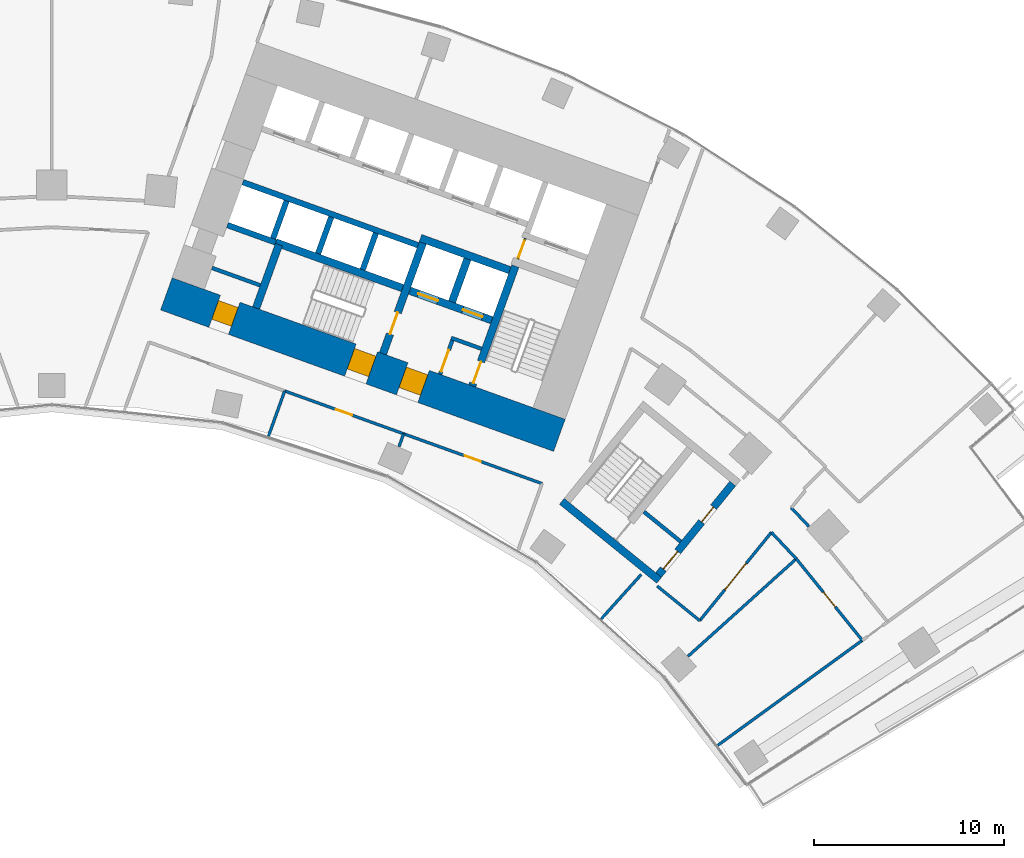
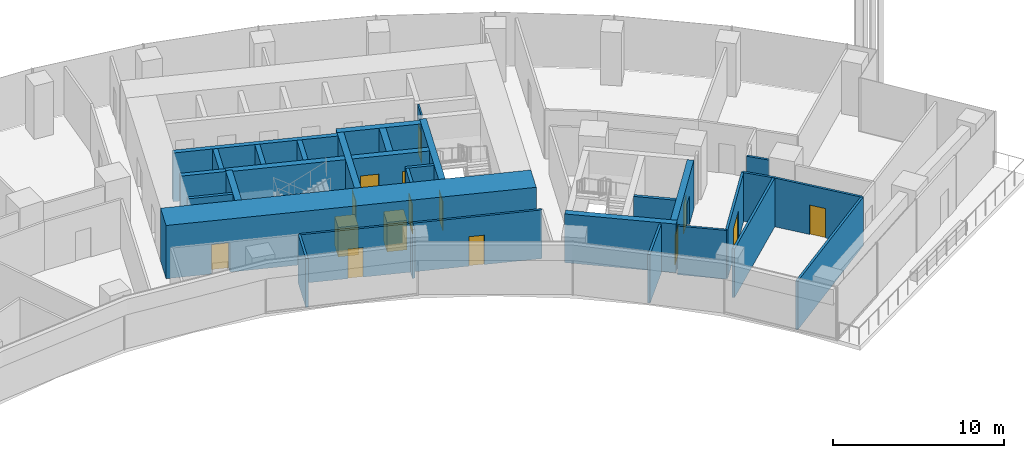
# One storey, part 17 of 21: 31 walls, 15 doors, 15 openings.
"""IFC4 building model written with IfcOpenShell, lengths in metres."""

from ifc_helpers import new_model, si_unit, direction, frame, frame_2d, origin, place, context, subcontext, project, spatial, rectangle, extrude, material, layer, layer_set, type_object, element, fill, save


model = new_model("IFC4")

# Units and contexts
model_context = context("Model", 3, precision=1e-05, world=origin(), true_north=direction((0.0, 1.0)))
body_context = subcontext(model_context, "Body", "Model", "MODEL_VIEW")
ifc_project = project(units=[si_unit("LENGTHUNIT", "METRE"), si_unit("AREAUNIT", "SQUARE_METRE"), si_unit("VOLUMEUNIT", "CUBIC_METRE"), si_unit("PLANEANGLEUNIT", "RADIAN"), si_unit("MASSUNIT", "GRAM", prefix="KILO")], contexts=[model_context])

# Site, building, storey
site_placement = place(None, origin())
site = spatial("IfcSite", under=ifc_project, at=site_placement, CompositionType="ELEMENT")
building_placement = place(site_placement, origin())
building = spatial("IfcBuilding", under=site, at=building_placement, Name="Stone Belt Terrace Tower", CompositionType="ELEMENT")
storey_placement = place(building_placement, frame((0.0, 0.0, 45.199951171875)))
storey = spatial("IfcBuildingStorey", under=building, at=storey_placement, Name="L10", CompositionType="ELEMENT", Elevation=45.199951171875)

# Wall, opening, door
ifc_material_1 = material(Name="Plasterboard partition")
ifc_layer_1 = layer(ifc_material_1, 0.10009765625)
ifc_layer_set_1 = layer_set([ifc_layer_1], Name="Core partition 100")
wall_type_1 = type_object("IfcWallType", Name="Core partition 100", PredefinedType="PARTITIONING", material=ifc_layer_set_1)
wall_1_placement = place(storey_placement, frame((24.555908203125, 51.10400390625, 0.0), z_axis=(0.0, 0.0, 1.0), x_axis=(0.338621735342, 0.94092258999, 0.0)))
wall_1 = element("IfcWall", 1, at=wall_1_placement, inside=storey, type_object=wall_type_1, Name="Core B wall", PredefinedType="PARTITIONING", context=body_context, shape_type="SweptSolid", body=[
    extrude(rectangle(XDim=1.14990234375, YDim=0.10009765625, at=frame_2d((0.574951171875, 0.0))), origin(), (0.0, 0.0, 1.0), 3.47998046875),
])
opening_1_placement = place(wall_1_placement, frame((0.050048828125, 0.0, 0.0)))
opening_1 = element("IfcOpeningElement", 2, at=opening_1_placement, cuts=wall_1, Name="Opening L10-C10", PredefinedType="OPENING", context=body_context, shape_type="SweptSolid", body=[
    extrude(rectangle(XDim=1.0, YDim=2.10009765625, at=frame_2d((0.5, 1.050048828125))), frame((0.0, 0.06005859375, 0.0), z_axis=(0.0, -1.0, 0.0), x_axis=(1.0, 0.0, 0.0)), (0.0, 0.0, 1.0), 0.1201171875),
])
ifc_material_2 = material(Name="Timber door leaf", Category="wood")
door_type_1 = type_object("IfcDoorType", Name="Core room door 1000", OperationType="SINGLE_SWING_LEFT", PredefinedType="DOOR", material=ifc_material_2)
door_1_placement = place(opening_1_placement, origin())
door_1 = element("IfcDoor", 3, at=door_1_placement, inside=storey, type_object=door_type_1, Name="Service lift lobby door core B", OperationType="SINGLE_SWING_LEFT", OverallHeight=2.10009765625, OverallWidth=1.0, PredefinedType="DOOR", context=body_context, shape_type="SweptSolid", body=[
    extrude(rectangle(XDim=1.0, YDim=2.10009765625, at=frame_2d((0.5, 1.050048828125))), frame((0.0, 0.02490234375, 0.0), z_axis=(0.0, -1.0, 0.0), x_axis=(1.0, 0.0, 0.0)), (0.0, 0.0, 1.0), 0.050048828125),
])
fill(opening_1, door_1)

# Wall, openings, doors
ifc_material_3 = material(Name="Concrete B80", Category="concrete")
ifc_layer_2 = layer(ifc_material_3, 1.800048828125)
ifc_layer_set_2 = layer_set([ifc_layer_2], Name="Core wall 1800 B80")
wall_type_2 = type_object("IfcWallType", Name="Core wall 1800 B80", PredefinedType="SHEAR", material=ifc_layer_set_2)
wall_2_placement = place(storey_placement, frame((6.039306640625, 49.265380859375, 0.0), z_axis=(0.0, 0.0, 1.0), x_axis=(0.940921642213, -0.338624368902, 0.0)))
wall_2 = element("IfcWall", 4, at=wall_2_placement, inside=storey, type_object=wall_type_2, Name="Core B wall concave L10", PredefinedType="SHEAR", context=body_context, shape_type="SweptSolid", body=[
    extrude(rectangle(XDim=22.0, YDim=1.800048828125, at=frame_2d((11.0, 0.0))), origin(), (0.0, 0.0, 1.0), 3.800048828125),
])
opening_2_placement = place(wall_2_placement, frame((13.199951171875, 0.0, 0.0)))
opening_2 = element("IfcOpeningElement", 5, at=opening_2_placement, cuts=wall_2, Name="Opening L10-C14", PredefinedType="OPENING", context=body_context, shape_type="SweptSolid", body=[
    extrude(rectangle(XDim=1.199951171875, YDim=2.10009765625, at=frame_2d((0.60009765625, 1.050048828125))), frame((0.0, 0.909912109375, 0.0), z_axis=(0.0, -1.0, 0.0), x_axis=(1.0, 0.0, 0.0)), (0.0, 0.0, 1.0), 1.820068359375),
])
opening_3_placement = place(wall_2_placement, frame((10.300048828125, 0.0, 0.0)))
opening_3 = element("IfcOpeningElement", 6, at=opening_3_placement, cuts=wall_2, Name="Opening L10-C16", PredefinedType="OPENING", context=body_context, shape_type="SweptSolid", body=[
    extrude(rectangle(XDim=1.199951171875, YDim=2.10009765625, at=frame_2d((0.60009765625, 1.050048828125))), frame((0.0, 0.909912109375, 0.0), z_axis=(0.0, -1.0, 0.0), x_axis=(1.0, 0.0, 0.0)), (0.0, 0.0, 1.0), 1.820068359375),
])
opening_4_placement = place(wall_2_placement, frame((2.699951171875, 0.0, 0.0)))
opening_4 = element("IfcOpeningElement", 7, at=opening_4_placement, cuts=wall_2, Name="Opening L10-C18", PredefinedType="OPENING", context=body_context, shape_type="SweptSolid", body=[
    extrude(rectangle(XDim=1.10009765625, YDim=2.10009765625, at=frame_2d((0.550048828125, 1.050048828125))), frame((0.0, 0.909912109375, 0.0), z_axis=(0.0, -1.0, 0.0), x_axis=(1.0, 0.0, 0.0)), (0.0, 0.0, 1.0), 1.820068359375),
])
door_type_2 = type_object("IfcDoorType", Name="Core room door 1100", OperationType="SINGLE_SWING_LEFT", PredefinedType="DOOR", material=ifc_material_2)
door_2_placement = place(opening_4_placement, origin())
door_2 = element("IfcDoor", 8, at=door_2_placement, inside=storey, type_object=door_type_2, Name="Door to Pipe riser core B", OperationType="SINGLE_SWING_LEFT", OverallHeight=2.10009765625, OverallWidth=1.10009765625, PredefinedType="DOOR", context=body_context, shape_type="SweptSolid", body=[
    extrude(rectangle(XDim=1.10009765625, YDim=2.10009765625, at=frame_2d((0.550048828125, 1.050048828125))), frame((0.0, 0.60498046875, 0.0), z_axis=(0.0, -1.0, 0.0), x_axis=(1.0, 0.0, 0.0)), (0.0, 0.0, 1.0), 1.050048828125),
])
fill(opening_4, door_2)
ifc_material_4 = material(Name="Steel door leaf", Category="steel")
door_type_3 = type_object("IfcDoorType", Name="Fire-fighting lobby door 1200", OperationType="SINGLE_SWING_LEFT", PredefinedType="DOOR", material=ifc_material_4)
door_3_placement = place(opening_2_placement, origin())
door_3 = element("IfcDoor", 9, at=door_3_placement, inside=storey, type_object=door_type_3, Name="Fire-fighting lobby door core B", OperationType="SINGLE_SWING_LEFT", OverallHeight=2.10009765625, OverallWidth=1.199951171875, PredefinedType="DOOR", context=body_context, shape_type="SweptSolid", body=[
    extrude(rectangle(XDim=1.199951171875, YDim=2.10009765625, at=frame_2d((0.60009765625, 1.050048828125))), frame((0.0, 0.655029296875, 0.0), z_axis=(0.0, -1.0, 0.0), x_axis=(1.0, 0.0, 0.0)), (0.0, 0.0, 1.0), 1.14990234375),
])
fill(opening_2, door_3)
door_type_4 = type_object("IfcDoorType", Name="Stair door 1200", OperationType="SINGLE_SWING_LEFT", PredefinedType="DOOR", material=ifc_material_4)
door_4_placement = place(opening_3_placement, origin())
door_4 = element("IfcDoor", 10, at=door_4_placement, inside=storey, type_object=door_type_4, Name="Stair 2 exit door core B", OperationType="SINGLE_SWING_RIGHT", OverallHeight=2.10009765625, OverallWidth=1.199951171875, PredefinedType="DOOR", context=body_context, shape_type="SweptSolid", body=[
    extrude(rectangle(XDim=1.199951171875, YDim=2.10009765625, at=frame_2d((0.60009765625, 1.050048828125))), frame((0.0, 0.655029296875, 0.0), z_axis=(0.0, -1.0, 0.0), x_axis=(1.0, 0.0, 0.0)), (0.0, 0.0, 1.0), 1.14990234375),
])
fill(opening_3, door_4)

# Walls
ifc_layer_3 = layer(ifc_material_3, 0.39990234375)
ifc_layer_set_3 = layer_set([ifc_layer_3], Name="Fire-fighting lift shaft wall 400")
wall_type_3 = type_object("IfcWallType", Name="Fire-fighting lift shaft wall 400", PredefinedType="SHEAR", material=ifc_layer_set_3)
wall_3_placement = place(storey_placement, frame((24.130615234375, 50.512939453125, 0.0), z_axis=(0.0, 0.0, 1.0), x_axis=(-0.94091168377, 0.338652038744, 0.0)))
element("IfcWall", 11, at=wall_3_placement, inside=storey, type_object=wall_type_3, Name="Core B wall", PredefinedType="SHEAR", context=body_context, shape_type="SweptSolid", body=[
    extrude(rectangle(XDim=5.000244140625, YDim=0.39990234375, at=frame_2d((2.5, 0.0))), origin(), (0.0, 0.0, 1.0), 3.47998046875),
])
wall_4_placement = place(storey_placement, frame((21.0859375, 48.845458984375, 0.0), z_axis=(0.0, 0.0, 1.0), x_axis=(0.338629416206, 0.940919825745, 0.0)))
element("IfcWall", 12, at=wall_4_placement, inside=storey, type_object=wall_type_3, Name="Core B wall", PredefinedType="SHEAR", context=body_context, shape_type="SweptSolid", body=[
    extrude(rectangle(XDim=2.400146484375, YDim=0.39990234375, at=frame_2d((1.2001953125, 0.0))), origin(), (0.0, 0.0, 1.0), 3.47998046875),
])
ifc_layer_4 = layer(ifc_material_3, 0.300048828125)
ifc_layer_set_4 = layer_set([ifc_layer_4], Name="Lift shaft wall 300")
wall_type_4 = type_object("IfcWallType", Name="Lift shaft wall 300", PredefinedType="SHEAR", material=ifc_layer_set_4)
wall_5_placement = place(storey_placement, frame((19.29052734375, 51.829833984375, 0.0), z_axis=(0.0, 0.0, 1.0), x_axis=(-0.940925833398, 0.338612722803, 0.0)))
element("IfcWall", 13, at=wall_5_placement, inside=storey, type_object=wall_type_4, Name="Core B wall", PredefinedType="SHEAR", context=body_context, shape_type="SweptSolid", body=[
    extrude(rectangle(XDim=9.7998046875, YDim=0.300048828125, at=frame_2d((4.89990234375, 0.0))), origin(), (0.0, 0.0, 1.0), 3.47998046875),
])
for number, where, z_axis, x_axis, name in (
    (14, (16.38134765625, 50.53857421875, 0.0), (0.0, 0.0, 1.0), (0.338681515556, 0.940901073982, 0.0), "Core B wall"),
    (15, (14.029052734375, 51.38525390625, 0.0), (0.0, 0.0, 1.0), (0.338681515556, 0.940901073982, 0.0), "Core B wall"),
):
    element("IfcWall", number, at=place(storey_placement, frame(where, z_axis=z_axis, x_axis=x_axis)), inside=storey, type_object=wall_type_4, Name=name, PredefinedType="SHEAR", context=body_context, shape_type="SweptSolid", body=[
        extrude(rectangle(XDim=2.050048828125, YDim=0.300048828125, at=frame_2d((1.02490234375, 0.0))), origin(), (0.0, 0.0, 1.0), 3.47998046875),
    ])
wall_6_placement = place(storey_placement, frame((11.797119140625, 51.975830078125, 0.0), z_axis=(0.0, 0.0, 1.0), x_axis=(-0.940910465161, 0.33865542451, 0.0)))
element("IfcWall", 16, at=wall_6_placement, inside=storey, type_object=wall_type_4, Name="Core B wall", PredefinedType="SHEAR", context=body_context, shape_type="SweptSolid", body=[
    extrude(rectangle(XDim=2.69970703125, YDim=0.300048828125, at=frame_2d((1.349853515625, 0.0))), origin(), (0.0, 0.0, 1.0), 3.47998046875),
])
wall_7_placement = place(storey_placement, frame((11.659912109375, 52.184814453125, 0.0), z_axis=(0.0, 0.0, 1.0), x_axis=(0.338670064856, 0.940905195634, 0.0)))
element("IfcWall", 17, at=wall_7_placement, inside=storey, type_object=wall_type_4, Name="Core B wall", PredefinedType="SHEAR", context=body_context, shape_type="SweptSolid", body=[
    extrude(rectangle(XDim=2.099853515625, YDim=0.300048828125, at=frame_2d((1.0498046875, 0.0))), origin(), (0.0, 0.0, 1.0), 3.47998046875),
])
ifc_material_5 = material(Name="Gypsum board partition")
ifc_layer_5 = layer(ifc_material_5, 0.14990234375)
ifc_layer_set_5 = layer_set([ifc_layer_5], Name="PARTITION 150 EI 60")
wall_type_5 = type_object("IfcWallType", Name="PARTITION 150 EI 60", PredefinedType="PARTITIONING", material=ifc_layer_set_5)
wall_8_placement = place(storey_placement, frame((31.054931640625, 34.489990234375, 0.0), z_axis=(0.0, 0.0, 1.0), x_axis=(-0.669118910745, -0.743155356089, 0.0)))
element("IfcWall", 18, at=wall_8_placement, inside=storey, type_object=wall_type_5, Name="L10/wall/i026", PredefinedType="PARTITIONING", context=body_context, shape_type="SweptSolid", body=[
    extrude(rectangle(XDim=3.149169921875, YDim=0.14990234375, at=frame_2d((1.57470703125, 0.0))), origin(), (0.0, 0.0, 1.0), 3.47998046875),
])

# Wall, opening, door
wall_9_placement = place(storey_placement, frame((18.54296875, 41.89599609375, 0.0), z_axis=(0.0, 0.0, 1.0), x_axis=(-0.940947591738, 0.338552255349, 0.0)))
wall_9 = element("IfcWall", 19, at=wall_9_placement, inside=storey, type_object=wall_type_5, Name="L10/wall/i029", PredefinedType="PARTITIONING", context=body_context, shape_type="SweptSolid", body=[
    extrude(rectangle(XDim=6.669677734375, YDim=0.14990234375, at=frame_2d((3.3349609375, 0.0))), origin(), (0.0, 0.0, 1.0), 3.47998046875),
])
opening_5_placement = place(wall_9_placement, frame((2.885009765625, 0.0, 0.0)))
opening_5 = element("IfcOpeningElement", 20, at=opening_5_placement, cuts=wall_9, Name="Opening D-A3-07", PredefinedType="OPENING", context=body_context, shape_type="SweptSolid", body=[
    extrude(rectangle(XDim=0.89990234375, YDim=2.10009765625, at=frame_2d((0.449951171875, 1.050048828125))), frame((0.0, 0.0849609375, 0.0), z_axis=(0.0, -1.0, 0.0), x_axis=(1.0, 0.0, 0.0)), (0.0, 0.0, 1.0), 0.169921875),
])
door_type_5 = type_object("IfcDoorType", Name="OFFICE DOOR 900 X 2100", OperationType="NOTDEFINED", PredefinedType="DOOR", material=ifc_material_2)
door_5_placement = place(opening_5_placement, origin())
door_5 = element("IfcDoor", 21, at=door_5_placement, inside=storey, type_object=door_type_5, Name="L10/door/i07", OperationType="SINGLE_SWING_RIGHT", OverallHeight=2.10009765625, OverallWidth=0.89990234375, PredefinedType="DOOR", context=body_context, shape_type="SweptSolid", body=[
    extrude(rectangle(XDim=0.89990234375, YDim=2.10009765625, at=frame_2d((0.449951171875, 1.050048828125))), frame((0.0, 0.02490234375, 0.0), z_axis=(0.0, -1.0, 0.0), x_axis=(1.0, 0.0, 0.0)), (0.0, 0.0, 1.0), 0.050048828125),
])
fill(opening_5, door_5)

wall_10_placement = place(storey_placement, frame((25.824951171875, 39.27490234375, 0.0), z_axis=(0.0, 0.0, 1.0), x_axis=(-0.940921131887, 0.338625786921, 0.0)))
wall_10 = element("IfcWall", 22, at=wall_10_placement, inside=storey, type_object=wall_type_5, Name="L10/wall/i030", PredefinedType="PARTITIONING", context=body_context, shape_type="SweptSolid", body=[
    extrude(rectangle(XDim=7.751953125, YDim=0.14990234375, at=frame_2d((3.8759765625, 0.0))), origin(), (0.0, 0.0, 1.0), 3.47998046875),
])
opening_6_placement = place(wall_10_placement, frame((3.426025390625, 0.0, 0.0)))
opening_6 = element("IfcOpeningElement", 23, at=opening_6_placement, cuts=wall_10, Name="Opening D-A3-08", PredefinedType="OPENING", context=body_context, shape_type="SweptSolid", body=[
    extrude(rectangle(XDim=0.89990234375, YDim=2.10009765625, at=frame_2d((0.449951171875, 1.050048828125))), frame((0.0, 0.0849609375, 0.0), z_axis=(0.0, -1.0, 0.0), x_axis=(1.0, 0.0, 0.0)), (0.0, 0.0, 1.0), 0.169921875),
])
door_6_placement = place(opening_6_placement, origin())
door_6 = element("IfcDoor", 24, at=door_6_placement, inside=storey, type_object=door_type_5, Name="L10/door/i08", OperationType="SINGLE_SWING_RIGHT", OverallHeight=2.10009765625, OverallWidth=0.89990234375, PredefinedType="DOOR", context=body_context, shape_type="SweptSolid", body=[
    extrude(rectangle(XDim=0.89990234375, YDim=2.10009765625, at=frame_2d((0.449951171875, 1.050048828125))), frame((0.0, 0.02490234375, 0.0), z_axis=(0.0, -1.0, 0.0), x_axis=(1.0, 0.0, 0.0)), (0.0, 0.0, 1.0), 0.050048828125),
])
fill(opening_6, door_6)

# Walls
wall_11_placement = place(storey_placement, frame((12.27294921875, 44.152099609375, 0.0), z_axis=(0.0, 0.0, 1.0), x_axis=(-0.338462482754, -0.940979887016, 0.0)))
element("IfcWall", 25, at=wall_11_placement, inside=storey, type_object=wall_type_5, Name="L10/wall/i031", PredefinedType="PARTITIONING", context=body_context, shape_type="SweptSolid", body=[
    extrude(rectangle(XDim=2.523193359375, YDim=0.14990234375, at=frame_2d((1.26171875, 0.0))), origin(), (0.0, 0.0, 1.0), 3.47998046875),
])
wall_12_placement = place(storey_placement, frame((18.537109375, 41.89794921875, 0.0), z_axis=(0.0, 0.0, 1.0), x_axis=(-0.339008718723, -0.940783231478, 0.0)))
element("IfcWall", 26, at=wall_12_placement, inside=storey, type_object=wall_type_5, Name="L10/wall/i032", PredefinedType="PARTITIONING", context=body_context, shape_type="SweptSolid", body=[
    extrude(rectangle(XDim=0.71728515625, YDim=0.14990234375, at=frame_2d((0.358642578125, 0.0))), origin(), (0.0, 0.0, 1.0), 3.47998046875),
])
wall_13_placement = place(storey_placement, frame((35.08642578125, 25.49169921875, 0.0), z_axis=(0.0, 0.0, 1.0), x_axis=(0.809018658415, 0.587782961931, 0.0)))
element("IfcWall", 27, at=wall_13_placement, inside=storey, type_object=wall_type_5, Name="L10/wall/i062", PredefinedType="PARTITIONING", context=body_context, shape_type="SweptSolid", body=[
    extrude(rectangle(XDim=9.412109375, YDim=0.14990234375, at=frame_2d((4.7060546875, 0.0))), origin(), (0.0, 0.0, 1.0), 3.47998046875),
])
wall_14_placement = place(storey_placement, frame((39.218994140625, 35.31298828125, 0.0), z_axis=(0.0, 0.0, 1.0), x_axis=(-0.685150397177, 0.728401629082, 0.0)))
element("IfcWall", 28, at=wall_14_placement, inside=storey, type_object=wall_type_5, Name="L10/wall/i070", PredefinedType="PARTITIONING", context=body_context, shape_type="SweptSolid", body=[
    extrude(rectangle(XDim=1.919189453125, YDim=0.14990234375, at=frame_2d((0.95947265625, 0.0))), origin(), (0.0, 0.0, 1.0), 3.47998046875),
])

# Wall, opening, door
wall_15_placement = place(storey_placement, frame((42.696044921875, 31.02001953125, 0.0), z_axis=(0.0, 0.0, 1.0), x_axis=(-0.629393988906, 0.777086357318, 0.0)))
wall_15 = element("IfcWall", 29, at=wall_15_placement, inside=storey, type_object=wall_type_5, Name="L10/wall/i071", PredefinedType="PARTITIONING", context=body_context, shape_type="SweptSolid", body=[
    extrude(rectangle(XDim=5.5244140625, YDim=0.14990234375, at=frame_2d((2.76220703125, 0.0))), origin(), (0.0, 0.0, 1.0), 3.47998046875),
])
opening_7_placement = place(wall_15_placement, frame((2.26220703125, 0.0, 0.0)))
opening_7 = element("IfcOpeningElement", 30, at=opening_7_placement, cuts=wall_15, Name="Opening D-A3-23", PredefinedType="OPENING", context=body_context, shape_type="SweptSolid", body=[
    extrude(rectangle(XDim=1.0, YDim=2.10009765625, at=frame_2d((0.5, 1.050048828125))), frame((0.0, 0.0849609375, 0.0), z_axis=(0.0, -1.0, 0.0), x_axis=(1.0, 0.0, 0.0)), (0.0, 0.0, 1.0), 0.169921875),
])
ifc_material_6 = material(Name="Timber fire door leaf", Category="wood")
door_type_6 = type_object("IfcDoorType", Name="TENANCY ENTRANCE DOOR 1000 X 2100", OperationType="NOTDEFINED", PredefinedType="DOOR", material=ifc_material_6)
door_7_placement = place(opening_7_placement, origin())
door_7 = element("IfcDoor", 31, at=door_7_placement, inside=storey, type_object=door_type_6, Name="L10/door/i23", OperationType="SINGLE_SWING_RIGHT", OverallHeight=2.10009765625, OverallWidth=1.0, PredefinedType="DOOR", context=body_context, shape_type="SweptSolid", body=[
    extrude(rectangle(XDim=1.0, YDim=2.10009765625, at=frame_2d((0.5, 1.050048828125))), frame((0.0, 0.02490234375, 0.0), z_axis=(0.0, -1.0, 0.0), x_axis=(1.0, 0.0, 0.0)), (0.0, 0.0, 1.0), 0.050048828125),
])
fill(opening_7, door_7)

# Wall
wall_16_placement = place(storey_placement, frame((38.951904296875, 38.00390625, 0.0), z_axis=(0.0, 0.0, 1.0), x_axis=(0.685517138115, -0.728056490494, 0.0)))
element("IfcWall", 32, at=wall_16_placement, inside=storey, type_object=wall_type_5, Name="L10/wall/i072", PredefinedType="PARTITIONING", context=body_context, shape_type="SweptSolid", body=[
    extrude(rectangle(XDim=1.3486328125, YDim=0.14990234375, at=frame_2d((0.67431640625, 0.0))), origin(), (0.0, 0.0, 1.0), 3.47998046875),
])

# Wall, opening, door
wall_17_placement = place(storey_placement, frame((34.133056640625, 32.055908203125, 0.0), z_axis=(0.0, 0.0, 1.0), x_axis=(0.630176722579, 0.776451735988, 0.0)))
wall_17 = element("IfcWall", 33, at=wall_17_placement, inside=storey, type_object=wall_type_5, Name="L10/wall/i075", PredefinedType="PARTITIONING", context=body_context, shape_type="SweptSolid", body=[
    extrude(rectangle(XDim=5.990234375, YDim=0.14990234375, at=frame_2d((2.9951171875, 0.0))), origin(), (0.0, 0.0, 1.0), 3.47998046875),
])
opening_8_placement = place(wall_17_placement, frame((2.09521484375, 0.0, 0.0)))
opening_8 = element("IfcOpeningElement", 34, at=opening_8_placement, cuts=wall_17, Name="Opening D-A3-22", PredefinedType="OPENING", context=body_context, shape_type="SweptSolid", body=[
    extrude(rectangle(XDim=1.800048828125, YDim=2.10009765625, at=frame_2d((0.89990234375, 1.050048828125))), frame((0.0, 0.0849609375, 0.0), z_axis=(0.0, -1.0, 0.0), x_axis=(1.0, 0.0, 0.0)), (0.0, 0.0, 1.0), 0.169921875),
])
door_type_7 = type_object("IfcDoorType", Name="DOUBLE DOOR 1800 X 2100", OperationType="DOUBLE_DOOR_SINGLE_SWING", PredefinedType="DOOR", material=ifc_material_2)
door_8_placement = place(opening_8_placement, origin())
door_8 = element("IfcDoor", 35, at=door_8_placement, inside=storey, type_object=door_type_7, Name="L10/door/i22", OperationType="DOUBLE_DOOR_SINGLE_SWING", OverallHeight=2.10009765625, OverallWidth=1.800048828125, PredefinedType="DOOR", context=body_context, shape_type="SweptSolid", body=[
    extrude(rectangle(XDim=1.800048828125, YDim=2.10009765625, at=frame_2d((0.89990234375, 1.050048828125))), frame((0.0, 0.02490234375, 0.0), z_axis=(0.0, -1.0, 0.0), x_axis=(1.0, 0.0, 0.0)), (0.0, 0.0, 1.0), 0.050048828125),
])
fill(opening_8, door_8)

# Walls
wall_18_placement = place(storey_placement, frame((34.133056640625, 32.055908203125, 0.0), z_axis=(0.0, 0.0, 1.0), x_axis=(-0.776369956068, 0.630277471686, 0.0)))
element("IfcWall", 36, at=wall_18_placement, inside=storey, type_object=wall_type_5, Name="L10/wall/i076", PredefinedType="PARTITIONING", context=body_context, shape_type="SweptSolid", body=[
    extrude(rectangle(XDim=2.8876953125, YDim=0.14990234375, at=frame_2d((1.44384765625, 0.0))), origin(), (0.0, 0.0, 1.0), 3.47998046875),
])
wall_19_placement = place(storey_placement, frame((39.218994140625, 35.31298828125, 0.0), z_axis=(0.0, 0.0, 1.0), x_axis=(-0.743135942629, -0.669140471629, 0.0)))
element("IfcWall", 37, at=wall_19_placement, inside=storey, type_object=wall_type_5, Name="L10/wall/i078", PredefinedType="PARTITIONING", context=body_context, shape_type="SweptSolid", body=[
    extrude(rectangle(XDim=7.67431640625, YDim=0.14990234375, at=frame_2d((3.837158203125, 0.0))), origin(), (0.0, 0.0, 1.0), 3.47998046875),
])
ifc_material_7 = material(Name="Concrete masonry block", Category="masonry")
ifc_layer_6 = layer(ifc_material_7, 0.199951171875)
ifc_layer_set_6 = layer_set([ifc_layer_6], Name="Rated lobby wall 200")
wall_type_6 = type_object("IfcWallType", Name="Rated lobby wall 200", PredefinedType="PARTITIONING", material=ifc_layer_set_6)
wall_20_placement = place(storey_placement, frame((22.640625, 46.373046875, 0.0), z_axis=(0.0, 0.0, 1.0), x_axis=(-0.940966110313, 0.338500781747, 0.0)))
element("IfcWall", 38, at=wall_20_placement, inside=storey, type_object=wall_type_6, Name="Core B wall", PredefinedType="PARTITIONING", context=body_context, shape_type="SweptSolid", body=[
    extrude(rectangle(XDim=1.699951171875, YDim=0.199951171875, at=frame_2d((0.85009765625, 0.0))), origin(), (0.0, 0.0, 1.0), 3.47998046875),
])

# Wall, opening, door
wall_21_placement = place(storey_placement, frame((20.4580078125, 45.032958984375, 0.0), z_axis=(0.0, 0.0, 1.0), x_axis=(0.338573865316, 0.940939816208, 0.0)))
wall_21 = element("IfcWall", 39, at=wall_21_placement, inside=storey, type_object=wall_type_6, Name="Core B wall", PredefinedType="PARTITIONING", context=body_context, shape_type="SweptSolid", body=[
    extrude(rectangle(XDim=1.900146484375, YDim=0.199951171875, at=frame_2d((0.9501953125, 0.0))), origin(), (0.0, 0.0, 1.0), 3.47998046875),
])
opening_9_placement = place(wall_21_placement, frame((0.14990234375, 0.0, 0.0)))
opening_9 = element("IfcOpeningElement", 40, at=opening_9_placement, cuts=wall_21, Name="Opening L10-C13", PredefinedType="OPENING", context=body_context, shape_type="SweptSolid", body=[
    extrude(rectangle(XDim=1.199951171875, YDim=2.10009765625, at=frame_2d((0.60009765625, 1.050048828125))), frame((0.0, 0.10986328125, 0.0), z_axis=(0.0, -1.0, 0.0), x_axis=(1.0, 0.0, 0.0)), (0.0, 0.0, 1.0), 0.219970703125),
])
door_9_placement = place(opening_9_placement, origin())
door_9 = element("IfcDoor", 41, at=door_9_placement, inside=storey, type_object=door_type_4, Name="Stair airlock door core B", OperationType="SINGLE_SWING_LEFT", OverallHeight=2.10009765625, OverallWidth=1.199951171875, PredefinedType="DOOR", context=body_context, shape_type="SweptSolid", body=[
    extrude(rectangle(XDim=1.199951171875, YDim=2.10009765625, at=frame_2d((0.60009765625, 1.050048828125))), frame((0.0, 0.02490234375, 0.0), z_axis=(0.0, -1.0, 0.0), x_axis=(1.0, 0.0, 0.0)), (0.0, 0.0, 1.0), 0.050048828125),
])
fill(opening_9, door_9)

# Walls
wall_22_placement = place(storey_placement, frame((10.984619140625, 49.717529296875, 0.0), z_axis=(0.0, 0.0, 1.0), x_axis=(-0.940920834877, 0.338626612206, 0.0)))
element("IfcWall", 42, at=wall_22_placement, inside=storey, type_object=wall_type_6, Name="Core B wall", PredefinedType="PARTITIONING", context=body_context, shape_type="SweptSolid", body=[
    extrude(rectangle(XDim=2.699951171875, YDim=0.199951171875, at=frame_2d((1.35009765625, 0.0))), origin(), (0.0, 0.0, 1.0), 3.47998046875),
])
wall_23_placement = place(storey_placement, frame((31.190673828125, 37.79296875, 0.0), z_axis=(0.0, 0.0, 1.0), x_axis=(0.776370830301, -0.630276394813, 0.0)))
element("IfcWall", 43, at=wall_23_placement, inside=storey, type_object=wall_type_6, Name="Exit stair ST3B wall", PredefinedType="PARTITIONING", context=body_context, shape_type="SweptSolid", body=[
    extrude(rectangle(XDim=2.5, YDim=0.199951171875, at=frame_2d((1.25, 0.0))), origin(), (0.0, 0.0, 1.0), 3.47998046875),
])

# Wall, opening, door
ifc_layer_7 = layer(ifc_material_3, 0.39990234375)
ifc_layer_set_7 = layer_set([ifc_layer_7], Name="Stair enclosure wall 400")
wall_type_7 = type_object("IfcWallType", Name="Stair enclosure wall 400", PredefinedType="SHEAR", material=ifc_layer_set_7)
wall_24_placement = place(storey_placement, frame((22.151611328125, 44.42333984375, 0.0), z_axis=(0.0, 0.0, 1.0), x_axis=(0.338625272931, 0.940921316866, 0.0)))
wall_24 = element("IfcWall", 44, at=wall_24_placement, inside=storey, type_object=wall_type_7, Name="Core B wall", PredefinedType="SHEAR", context=body_context, shape_type="SweptSolid", body=[
    extrude(rectangle(XDim=6.699951171875, YDim=0.39990234375, at=frame_2d((3.35009765625, 0.0))), origin(), (0.0, 0.0, 1.0), 3.47998046875),
])
opening_10_placement = place(wall_24_placement, frame((0.14990234375, 0.0, 0.0)))
opening_10 = element("IfcOpeningElement", 45, at=opening_10_placement, cuts=wall_24, Name="Opening L10-C12", PredefinedType="OPENING", context=body_context, shape_type="SweptSolid", body=[
    extrude(rectangle(XDim=1.199951171875, YDim=2.10009765625, at=frame_2d((0.60009765625, 1.050048828125))), frame((0.0, 0.2099609375, 0.0), z_axis=(0.0, -1.0, 0.0), x_axis=(1.0, 0.0, 0.0)), (0.0, 0.0, 1.0), 0.419921875),
])
door_10_placement = place(opening_10_placement, origin())
door_10 = element("IfcDoor", 46, at=door_10_placement, inside=storey, type_object=door_type_4, Name="Stair 1 door core B", OperationType="SINGLE_SWING_LEFT", OverallHeight=2.10009765625, OverallWidth=1.199951171875, PredefinedType="DOOR", context=body_context, shape_type="SweptSolid", body=[
    extrude(rectangle(XDim=1.199951171875, YDim=2.10009765625, at=frame_2d((0.60009765625, 1.050048828125))), frame((0.0, 0.02490234375, 0.0), z_axis=(0.0, -1.0, 0.0), x_axis=(1.0, 0.0, 0.0)), (0.0, 0.0, 1.0), 0.050048828125),
])
fill(opening_10, door_10)

# Wall, openings, doors
wall_25_placement = place(storey_placement, frame((23.182373046875, 47.87841796875, 0.0), z_axis=(0.0, 0.0, 1.0), x_axis=(-0.940921101762, 0.338625870628, 0.0)))
wall_25 = element("IfcWall", 47, at=wall_25_placement, inside=storey, type_object=wall_type_7, Name="Core B wall", PredefinedType="SHEAR", context=body_context, shape_type="SweptSolid", body=[
    extrude(rectangle(XDim=12.10009765625, YDim=0.39990234375, at=frame_2d((6.050048828125, 0.0))), origin(), (0.0, 0.0, 1.0), 3.47998046875),
])
opening_11_placement = place(wall_25_placement, frame((0.52001953125, 0.0, 0.0)))
opening_11 = element("IfcOpeningElement", 48, at=opening_11_placement, cuts=wall_25, Name="Opening L10-LD16", PredefinedType="OPENING", context=body_context, shape_type="SweptSolid", body=[
    extrude(rectangle(XDim=1.10009765625, YDim=2.199951171875, at=frame_2d((0.550048828125, 1.10009765625))), frame((0.0, 0.2099609375, 0.0), z_axis=(0.0, -1.0, 0.0), x_axis=(1.0, 0.0, 0.0)), (0.0, 0.0, 1.0), 0.419921875),
])
opening_12_placement = place(wall_25_placement, frame((3.02001953125, 0.0, 0.0)))
opening_12 = element("IfcOpeningElement", 49, at=opening_12_placement, cuts=wall_25, Name="Opening L10-LD17", PredefinedType="OPENING", context=body_context, shape_type="SweptSolid", body=[
    extrude(rectangle(XDim=1.10009765625, YDim=2.199951171875, at=frame_2d((0.550048828125, 1.10009765625))), frame((0.0, 0.2099609375, 0.0), z_axis=(0.0, -1.0, 0.0), x_axis=(1.0, 0.0, 0.0)), (0.0, 0.0, 1.0), 0.419921875),
])
ifc_material_8 = material(Name="Stainless steel door leaf", Category="steel")
door_type_8 = type_object("IfcDoorType", Name="Landing door 1100", OperationType="SLIDING_TO_LEFT", PredefinedType="DOOR", material=ifc_material_8)
door_11_placement = place(opening_11_placement, origin())
door_11 = element("IfcDoor", 50, at=door_11_placement, inside=storey, type_object=door_type_8, Name="Landing door FF1 core B", OperationType="SLIDING_TO_LEFT", OverallHeight=2.199951171875, OverallWidth=1.10009765625, PredefinedType="DOOR", context=body_context, shape_type="SweptSolid", body=[
    extrude(rectangle(XDim=1.10009765625, YDim=2.199951171875, at=frame_2d((0.550048828125, 1.10009765625))), frame((0.0, 0.02490234375, 0.0), z_axis=(0.0, -1.0, 0.0), x_axis=(1.0, 0.0, 0.0)), (0.0, 0.0, 1.0), 0.050048828125),
])
fill(opening_11, door_11)
door_12_placement = place(opening_12_placement, origin())
door_12 = element("IfcDoor", 51, at=door_12_placement, inside=storey, type_object=door_type_8, Name="Landing door FF2 core B", OperationType="SLIDING_TO_LEFT", OverallHeight=2.199951171875, OverallWidth=1.10009765625, PredefinedType="DOOR", context=body_context, shape_type="SweptSolid", body=[
    extrude(rectangle(XDim=1.10009765625, YDim=2.199951171875, at=frame_2d((0.550048828125, 1.10009765625))), frame((0.0, 0.02490234375, 0.0), z_axis=(0.0, -1.0, 0.0), x_axis=(1.0, 0.0, 0.0)), (0.0, 0.0, 1.0), 0.050048828125),
])
fill(opening_12, door_12)

# Wall, opening, door
wall_26_placement = place(storey_placement, frame((17.447021484375, 46.116455078125, 0.0), z_axis=(0.0, 0.0, 1.0), x_axis=(0.33860791464, 0.940927563707, 0.0)))
wall_26 = element("IfcWall", 52, at=wall_26_placement, inside=storey, type_object=wall_type_7, Name="Core B wall", PredefinedType="SHEAR", context=body_context, shape_type="SweptSolid", body=[
    extrude(rectangle(XDim=6.199951171875, YDim=0.39990234375, at=frame_2d((3.10009765625, 0.0))), origin(), (0.0, 0.0, 1.0), 3.47998046875),
])
opening_13_placement = place(wall_26_placement, frame((1.10009765625, 0.0, 0.0)))
opening_13 = element("IfcOpeningElement", 53, at=opening_13_placement, cuts=wall_26, Name="Opening L10-C15", PredefinedType="OPENING", context=body_context, shape_type="SweptSolid", body=[
    extrude(rectangle(XDim=1.199951171875, YDim=2.10009765625, at=frame_2d((0.60009765625, 1.050048828125))), frame((0.0, 0.2099609375, 0.0), z_axis=(0.0, -1.0, 0.0), x_axis=(1.0, 0.0, 0.0)), (0.0, 0.0, 1.0), 0.419921875),
])
door_13_placement = place(opening_13_placement, origin())
door_13 = element("IfcDoor", 54, at=door_13_placement, inside=storey, type_object=door_type_4, Name="Stair 2 door core B", OperationType="SINGLE_SWING_LEFT", OverallHeight=2.10009765625, OverallWidth=1.199951171875, PredefinedType="DOOR", context=body_context, shape_type="SweptSolid", body=[
    extrude(rectangle(XDim=1.199951171875, YDim=2.10009765625, at=frame_2d((0.60009765625, 1.050048828125))), frame((0.0, 0.02490234375, 0.0), z_axis=(0.0, -1.0, 0.0), x_axis=(1.0, 0.0, 0.0)), (0.0, 0.0, 1.0), 0.050048828125),
])
fill(opening_13, door_13)

# Walls
wall_27_placement = place(storey_placement, frame((10.766357421875, 48.520751953125, 0.0), z_axis=(0.0, 0.0, 1.0), x_axis=(0.338626928157, 0.94092072117, 0.0)))
element("IfcWall", 55, at=wall_27_placement, inside=storey, type_object=wall_type_7, Name="Core B wall", PredefinedType="SHEAR", context=body_context, shape_type="SweptSolid", body=[
    extrude(rectangle(XDim=3.550048828125, YDim=0.39990234375, at=frame_2d((1.77490234375, 0.0))), origin(), (0.0, 0.0, 1.0), 3.47998046875),
])
wall_28_placement = place(storey_placement, frame((26.868408203125, 38.3388671875, 0.0), z_axis=(0.0, 0.0, 1.0), x_axis=(0.776428452498, -0.630205409491, 0.0)))
element("IfcWall", 56, at=wall_28_placement, inside=storey, type_object=wall_type_7, Name="Exit stair ST3B wall", PredefinedType="SHEAR", context=body_context, shape_type="SweptSolid", body=[
    extrude(rectangle(XDim=6.60009765625, YDim=0.39990234375, at=frame_2d((3.300048828125, 0.0))), origin(), (0.0, 0.0, 1.0), 3.47998046875),
])

# Wall, openings, doors
wall_29_placement = place(storey_placement, frame((31.963623046875, 34.460693359375, 0.0), z_axis=(0.0, 0.0, 1.0), x_axis=(0.630192283849, 0.776439106033, 0.0)))
wall_29 = element("IfcWall", 57, at=wall_29_placement, inside=storey, type_object=wall_type_7, Name="Exit stair ST3B wall", PredefinedType="SHEAR", context=body_context, shape_type="SweptSolid", body=[
    extrude(rectangle(XDim=6.199951171875, YDim=0.39990234375, at=frame_2d((3.10009765625, 0.0))), origin(), (0.0, 0.0, 1.0), 3.47998046875),
])
opening_14_placement = place(wall_29_placement, frame((0.39990234375, 0.0, 0.0)))
opening_14 = element("IfcOpeningElement", 58, at=opening_14_placement, cuts=wall_29, Name="Opening L10-C23", PredefinedType="OPENING", context=body_context, shape_type="SweptSolid", body=[
    extrude(rectangle(XDim=1.199951171875, YDim=2.10009765625, at=frame_2d((0.60009765625, 1.050048828125))), frame((0.0, 0.2099609375, 0.0), z_axis=(0.0, -1.0, 0.0), x_axis=(1.0, 0.0, 0.0)), (0.0, 0.0, 1.0), 0.419921875),
])
opening_15_placement = place(wall_29_placement, frame((3.60009765625, 0.0, 0.0)))
opening_15 = element("IfcOpeningElement", 59, at=opening_15_placement, cuts=wall_29, Name="Opening L10-C24", PredefinedType="OPENING", context=body_context, shape_type="SweptSolid", body=[
    extrude(rectangle(XDim=1.0, YDim=2.10009765625, at=frame_2d((0.5, 1.050048828125))), frame((0.0, 0.2099609375, 0.0), z_axis=(0.0, -1.0, 0.0), x_axis=(1.0, 0.0, 0.0)), (0.0, 0.0, 1.0), 0.419921875),
])
door_14_placement = place(opening_15_placement, origin())
door_14 = element("IfcDoor", 60, at=door_14_placement, inside=storey, type_object=door_type_1, Name="Door to stair pressurisation plant room ST3B", OperationType="SINGLE_SWING_RIGHT", OverallHeight=2.10009765625, OverallWidth=1.0, PredefinedType="DOOR", context=body_context, shape_type="SweptSolid", body=[
    extrude(rectangle(XDim=1.0, YDim=2.10009765625, at=frame_2d((0.5, 1.050048828125))), frame((0.0, 0.02490234375, 0.0), z_axis=(0.0, -1.0, 0.0), x_axis=(1.0, 0.0, 0.0)), (0.0, 0.0, 1.0), 0.050048828125),
])
fill(opening_15, door_14)
door_type_9 = type_object("IfcDoorType", Name="Stair airlock door 1200", OperationType="SINGLE_SWING_LEFT", PredefinedType="DOOR", material=ifc_material_4)
door_15_placement = place(opening_14_placement, origin())
door_15 = element("IfcDoor", 61, at=door_15_placement, inside=storey, type_object=door_type_9, Name="Stair airlock door ST3B", OperationType="SINGLE_SWING_RIGHT", OverallHeight=2.10009765625, OverallWidth=1.199951171875, PredefinedType="DOOR", context=body_context, shape_type="SweptSolid", body=[
    extrude(rectangle(XDim=1.199951171875, YDim=2.10009765625, at=frame_2d((0.60009765625, 1.050048828125))), frame((0.0, 0.02490234375, 0.0), z_axis=(0.0, -1.0, 0.0), x_axis=(1.0, 0.0, 0.0)), (0.0, 0.0, 1.0), 0.050048828125),
])
fill(opening_14, door_15)

save(model, "model.ifc")
